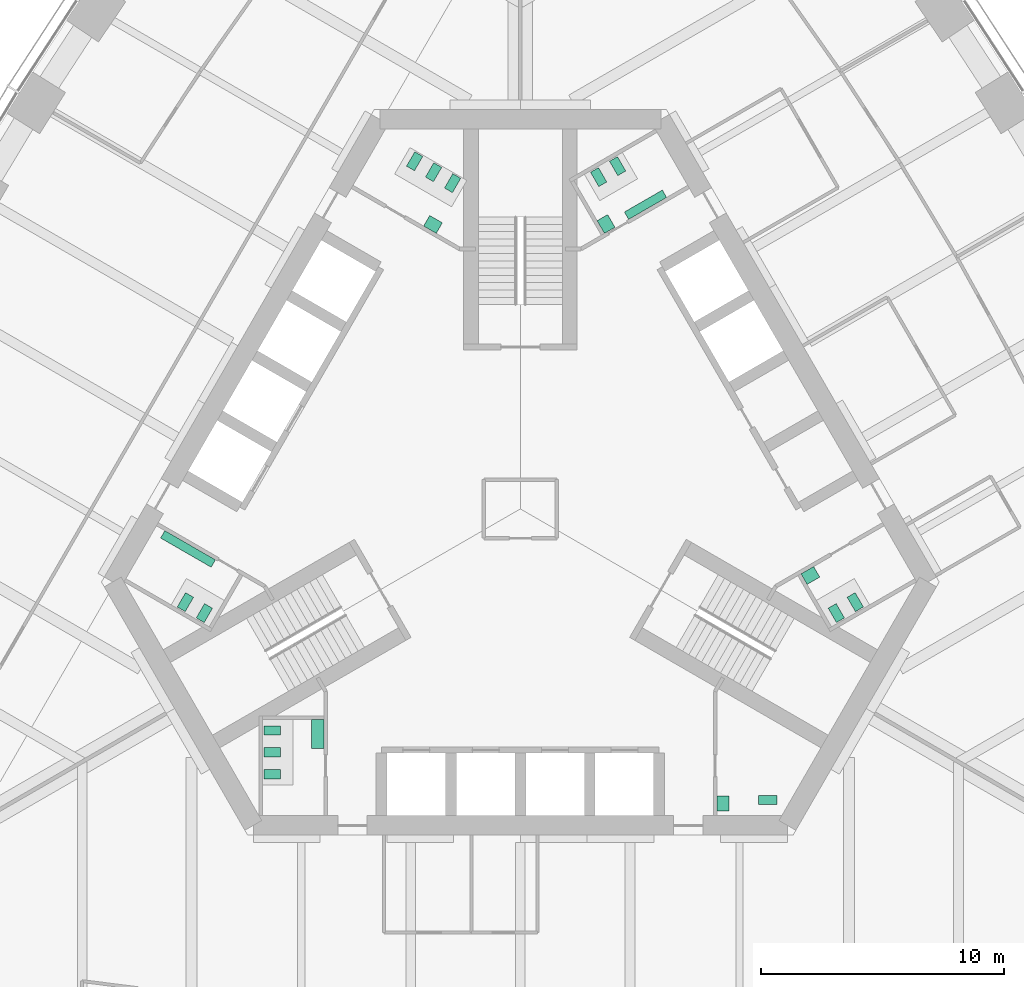
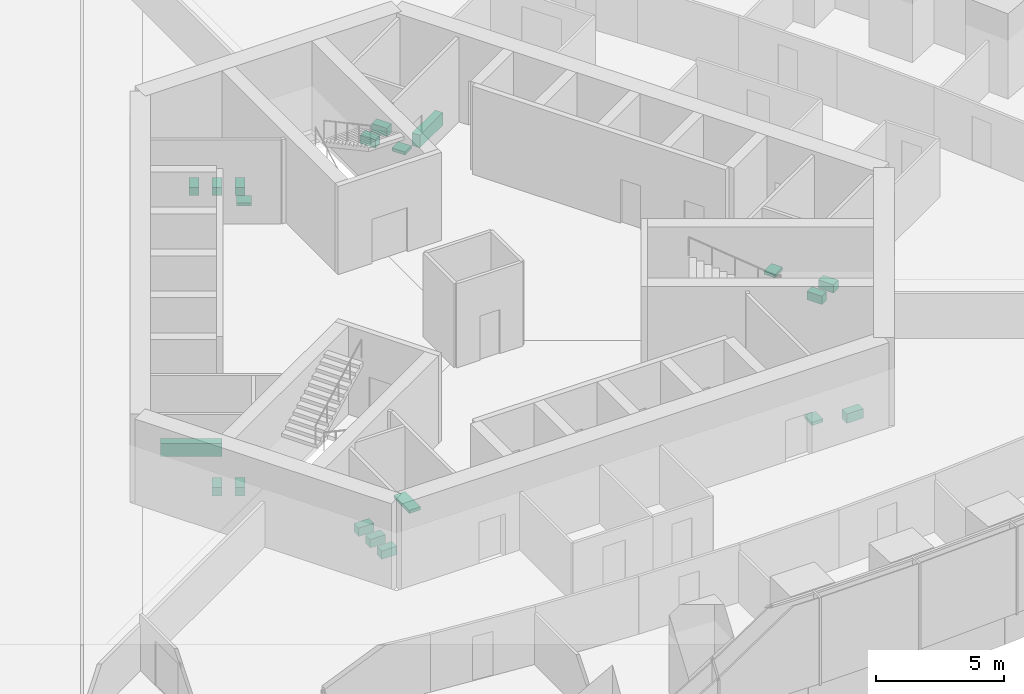
# One storey, part 17 of 18: 20 sanitary terminals.
"""IFC4 building model written with IfcOpenShell, lengths in metres."""

import ifcopenshell
import ifcopenshell.guid

model = None  # the IFC model being written
_history = None  # IfcOwnerHistory: only IFC2X3 demands one
_inside = {}  # id of a spatial element -> (the spatial element, [elements in it])
_under = {}  # id of a project, library or spatial element -> (it, [spatial elements below it])
_declared = {}  # id of a project -> (the project, [libraries it declares])
_typed = {}  # id of a type object -> (the type object, [elements of that type])
_made_of = {}  # id of a material, layer set ... -> (it, [elements and type objects made of it])


def new_model(schema):
    """Start an empty IFC model of exactly this schema.

    Asked for "IFC4X3", IfcOpenShell would pick the latest addendum, in which some entities
    have other attributes; the version numbers below select the first issue.
    IFC2X3 requires an IfcOwnerHistory on every rooted entity: one is made here for all.
    """
    global model, _history
    if schema == "IFC4X3":
        model = ifcopenshell.file(schema_version=(4, 3, 0, 0))
    else:
        model = ifcopenshell.file(schema=schema)
    _inside.clear()
    _under.clear()
    _declared.clear()
    _typed.clear()
    _made_of.clear()
    _history = None
    if model.schema == "IFC2X3":
        org = make("IfcOrganization", Name="unknown")
        user = make(
            "IfcPersonAndOrganization",
            ThePerson=make("IfcPerson", FamilyName="unknown"),
            TheOrganization=org,
        )
        app = make(
            "IfcApplication",
            ApplicationDeveloper=org,
            Version="unknown",
            ApplicationFullName="unknown",
            ApplicationIdentifier="unknown",
        )
        _history = make(
            "IfcOwnerHistory",
            OwningUser=user,
            OwningApplication=app,
            ChangeAction="ADDED",
            CreationDate=0,
        )
    return model


def make(cls, **values):
    """One entity of the class cls with the attributes given. An attribute that is None is left unset."""
    return model.create_entity(
        cls, **{name: value for name, value in values.items() if value is not None}
    )


def rooted(cls, **values):
    """An entity with a GlobalId (a new one), such as an element, a storey or a relation."""
    return make(cls, GlobalId=ifcopenshell.guid.new(), OwnerHistory=_history, **values)


def si_unit(unit_type, name, prefix=None):
    """IfcSIUnit, for example si_unit("LENGTHUNIT", "METRE", prefix="MILLI")."""
    return make("IfcSIUnit", UnitType=unit_type, Prefix=prefix, Name=name)


def assignment(units):
    """IfcUnitAssignment: the units of a project."""
    return None if units is None else make("IfcUnitAssignment", Units=units)


def point(xyz):
    """IfcCartesianPoint."""
    return None if xyz is None else make("IfcCartesianPoint", Coordinates=xyz)


def direction(xyz):
    """IfcDirection."""
    return None if xyz is None else make("IfcDirection", DirectionRatios=xyz)


def frame(location, z_axis=None, x_axis=None):
    """IfcAxis2Placement3D, a coordinate frame: its origin and axes. An axis left out is left unset."""
    return make(
        "IfcAxis2Placement3D",
        Location=point(location),
        Axis=direction(z_axis),
        RefDirection=direction(x_axis),
    )


def origin():
    """The frame at (0, 0, 0) with its axes left unset."""
    return frame((0.0, 0.0, 0.0))


def place(relative_to, where):
    """IfcLocalPlacement: puts the frame where relative to a parent placement (None: the world)."""
    return make(
        "IfcLocalPlacement", PlacementRelTo=relative_to, RelativePlacement=where
    )


def context(
    kind, dimensions, precision=None, world=None, true_north=None, identifier=None
):
    """IfcGeometricRepresentationContext, for example the 3D "Model" context."""
    return make(
        "IfcGeometricRepresentationContext",
        ContextIdentifier=identifier,
        ContextType=kind,
        CoordinateSpaceDimension=dimensions,
        Precision=precision,
        WorldCoordinateSystem=world,
        TrueNorth=true_north,
    )


def subcontext(parent, identifier, kind, view, scale=None):
    """IfcGeometricRepresentationSubContext, for example "Body" below "Model"."""
    return make(
        "IfcGeometricRepresentationSubContext",
        ContextIdentifier=identifier,
        ContextType=kind,
        ParentContext=parent,
        TargetScale=scale,
        TargetView=view,
    )


def project(units=None, contexts=None):
    """IfcProject with its units and contexts."""
    return rooted(
        "IfcProject",
        Name="project",
        RepresentationContexts=contexts,
        UnitsInContext=assignment(units),
    )


def spatial(cls, under=None, at=None, **own):
    """A site, building, storey or space (cls), placed at a placement, below another one or the project."""
    s = rooted(cls, ObjectPlacement=at, **own)
    if under is not None:
        _under.setdefault(under.id(), (under, []))[1].append(s)
    return s


def polyline(points):
    """IfcPolyline through the points."""
    return make("IfcPolyline", Points=[point(p) for p in points])


def outline(outer, holes=None, kind="AREA"):
    """IfcArbitraryClosedProfileDef: a profile drawn as a closed curve; with holes, ...WithVoids."""
    if holes is None:
        return make("IfcArbitraryClosedProfileDef", ProfileType=kind, OuterCurve=outer)
    return make(
        "IfcArbitraryProfileDefWithVoids",
        ProfileType=kind,
        OuterCurve=outer,
        InnerCurves=holes,
    )


def extrude(swept, where, along, depth):
    """IfcExtrudedAreaSolid: the profile swept, set in the frame where, extruded along a direction by depth."""
    return make(
        "IfcExtrudedAreaSolid",
        SweptArea=swept,
        Position=where,
        ExtrudedDirection=direction(along),
        Depth=depth,
    )


def shape(context_of_items, identifier, shape_type, items):
    """IfcShapeRepresentation: the items that make up one representation, for example the "Body"."""
    return make(
        "IfcShapeRepresentation",
        ContextOfItems=context_of_items,
        RepresentationIdentifier=identifier,
        RepresentationType=shape_type,
        Items=items,
    )


def material(Name=None, Category=None):
    """IfcMaterial."""
    return make("IfcMaterial", Name=Name, Category=Category)


def made_of(thing, what):
    """Note that an element or type object is made of a material, layer set ...; save() writes the relation."""
    if what is not None:
        _made_of.setdefault(what.id(), (what, []))[1].append(thing)
    return thing


def type_object(cls, material=None, **own):
    """A type object (cls), such as IfcWallType, which elements share."""
    return made_of(rooted(cls, **own), material)


def element(
    cls,
    number,
    at=None,
    inside=None,
    cuts=None,
    type_object=None,
    material=None,
    context=None,
    identifier="Body",
    shape_type=None,
    held_by="IfcProductDefinitionShape",
    body=None,
    shapes=None,
    **own,
):
    """One element of the class cls, such as IfcWall. Its Tag is "e" and its number.

    at: its placement. inside: the storey or other place that contains it. cuts: it is an
    opening in that element (IfcRelVoidsElement). A single representation is given by context,
    identifier, shape_type and body (its items); several are given by shapes. held_by: the class
    of the entity that holds the representations. save() writes the other relations.
    """
    e = rooted(cls, Tag="e%d" % number, ObjectPlacement=at, **own)
    if body is not None:
        shapes = [shape(context, identifier, shape_type, body)]
    if shapes is not None:
        e.Representation = make(held_by, Representations=shapes)
    if inside is not None:
        _inside.setdefault(inside.id(), (inside, []))[1].append(e)
    if cuts is not None:
        rooted(
            "IfcRelVoidsElement", RelatingBuildingElement=cuts, RelatedOpeningElement=e
        )
    if type_object is not None:
        _typed.setdefault(type_object.id(), (type_object, []))[1].append(e)
    return made_of(e, material)


def aggregate(whole, parts):
    """IfcRelAggregates: a whole, such as a stair, and the parts it consists of."""
    return rooted("IfcRelAggregates", RelatingObject=whole, RelatedObjects=parts)


def save(model, path):
    """Write the relations noted so far, then the file.

    IfcRelAggregates (storeys below a building ...), IfcRelContainedInSpatialStructure (elements
    in a storey), IfcRelDefinesByType, IfcRelAssociatesMaterial and IfcRelDeclares: one each for
    every whole, place, type object, material and project.
    """
    for whole, parts in _under.values():
        aggregate(whole, parts)
    for where, things in _inside.values():
        rooted(
            "IfcRelContainedInSpatialStructure",
            RelatedElements=things,
            RelatingStructure=where,
        )
    for kind, things in _typed.values():
        rooted("IfcRelDefinesByType", RelatedObjects=things, RelatingType=kind)
    for what, things in _made_of.values():
        rooted("IfcRelAssociatesMaterial", RelatedObjects=things, RelatingMaterial=what)
    for by, libraries in _declared.values():
        rooted("IfcRelDeclares", RelatingContext=by, RelatedDefinitions=libraries)
    model.write(path)


model = new_model("IFC4")

# Units and contexts
model_context = context("Model", 3, precision=1e-05, world=origin(), true_north=direction((0.0, 1.0)))
body_context = subcontext(model_context, "Body", "Model", "MODEL_VIEW")
ifc_project = project(units=[si_unit("LENGTHUNIT", "METRE"), si_unit("AREAUNIT", "SQUARE_METRE"), si_unit("VOLUMEUNIT", "CUBIC_METRE"), si_unit("PLANEANGLEUNIT", "RADIAN"), si_unit("MASSUNIT", "GRAM", prefix="KILO")], contexts=[model_context])

# Site, building, storey
site_placement = place(None, origin())
site = spatial("IfcSite", under=ifc_project, at=site_placement, CompositionType="ELEMENT")
building_placement = place(site_placement, origin())
building = spatial("IfcBuilding", under=site, at=building_placement, Name="Trefoil Bronze Tower", CompositionType="ELEMENT")
storey_placement = place(building_placement, frame((0.0, 0.0, 170.300048828125)))
storey = spatial("IfcBuildingStorey", under=building, at=storey_placement, Name="L39", CompositionType="ELEMENT", Elevation=170.300048828125)

# Sanitary terminals
ifc_material_1 = material(Name="Vitreous china", Category="ceramic")
sanitary_terminal_type_1 = type_object("IfcSanitaryTerminalType", Name="Accessible WC pan", PredefinedType="TOILETPAN", material=ifc_material_1)
sanitary_terminal_1_placement = place(storey_placement, origin())
element("IfcSanitaryTerminal", 1, at=sanitary_terminal_1_placement, inside=storey, type_object=sanitary_terminal_type_1, Name="WC pan 1 Accessible WC L39", PredefinedType="TOILETPAN", context=body_context, shape_type="SweptSolid", body=[
    extrude(outline(polyline([(9.784912109375, -11.77001953125), (10.534912109375, -11.77001953125), (10.534912109375, -12.14990234375), (9.784912109375, -12.14990234375), (9.784912109375, -11.77001953125)])), origin(), (0.0, 0.0, 1.0), 0.449951171875),
])
ifc_material_2 = material(Name="Vitreous china", Category="ceramic")
sanitary_terminal_type_2 = type_object("IfcSanitaryTerminalType", Name="Accessible basin", PredefinedType="WASHHANDBASIN", material=ifc_material_2)
sanitary_terminal_2_placement = place(storey_placement, frame((0.0, 0.0, 0.64990234375)))
element("IfcSanitaryTerminal", 2, at=sanitary_terminal_2_placement, inside=storey, type_object=sanitary_terminal_type_2, Name="Wash basin Accessible WC L39", PredefinedType="WASHHANDBASIN", context=body_context, shape_type="SweptSolid", body=[
    extrude(outline(polyline([(8.074951171875, -11.800048828125), (8.574951171875, -11.800048828125), (8.574951171875, -12.39990234375), (8.074951171875, -12.39990234375), (8.074951171875, -11.800048828125)])), origin(), (0.0, 0.0, 1.0), 0.150146484375),
])
ifc_material_3 = material(Name="Vitreous china", Category="ceramic")
sanitary_terminal_type_3 = type_object("IfcSanitaryTerminalType", Name="Urinal range 3 urinals", PredefinedType="URINAL", material=ifc_material_3)
sanitary_terminal_3_placement = place(storey_placement, frame((0.0, 0.0, 0.39990234375)))
element("IfcSanitaryTerminal", 3, at=sanitary_terminal_3_placement, inside=storey, type_object=sanitary_terminal_type_3, Name="Urinal range WC (men) L39", PredefinedType="URINAL", context=body_context, shape_type="SweptSolid", body=[
    extrude(outline(polyline([(4.449462890625, 11.89306640625), (4.274658203125, 12.1962890625), (5.83349609375, 13.09619140625), (6.00830078125, 12.793212890625), (4.449462890625, 11.89306640625)])), origin(), (0.0, 0.0, 1.0), 0.60009765625),
])
ifc_material_4 = material(Name="Vitreous china", Category="ceramic")
sanitary_terminal_type_4 = type_object("IfcSanitaryTerminalType", Name="Urinal range 4 urinals", PredefinedType="URINAL", material=ifc_material_4)
sanitary_terminal_4_placement = place(storey_placement, frame((0.0, 0.0, 0.39990234375)))
element("IfcSanitaryTerminal", 4, at=sanitary_terminal_4_placement, inside=storey, type_object=sanitary_terminal_type_4, Name="Urinal range WC (men) L39", PredefinedType="URINAL", context=body_context, shape_type="SweptSolid", body=[
    extrude(outline(polyline([(-12.524658203125, -2.09326171875), (-12.699462890625, -2.396240234375), (-14.778076171875, -1.1962890625), (-14.60302734375, -0.89306640625), (-12.524658203125, -2.09326171875)])), origin(), (0.0, 0.0, 1.0), 0.60009765625),
])
ifc_material_5 = material(Name="Solid surface vanity", Category="plastic")
sanitary_terminal_type_5 = type_object("IfcSanitaryTerminalType", Name="Vanity unit 1 basins", PredefinedType="WASHHANDBASIN", material=ifc_material_5)
sanitary_terminal_5_placement = place(storey_placement, frame((0.0, 0.0, 0.75)))
element("IfcSanitaryTerminal", 5, at=sanitary_terminal_5_placement, inside=storey, type_object=sanitary_terminal_type_5, Name="Vanity unit WC (women) L39", PredefinedType="WASHHANDBASIN", context=body_context, shape_type="SweptSolid", body=[
    extrude(outline(polyline([(11.528564453125, -2.668212890625), (11.778564453125, -3.10107421875), (12.29833984375, -2.80126953125), (12.04833984375, -2.3681640625), (11.528564453125, -2.668212890625)])), origin(), (0.0, 0.0, 1.0), 0.14990234375),
])
sanitary_terminal_6_placement = place(storey_placement, frame((0.0, 0.0, 0.75)))
element("IfcSanitaryTerminal", 6, at=sanitary_terminal_6_placement, inside=storey, type_object=sanitary_terminal_type_5, Name="Vanity unit WC (men) L39", PredefinedType="WASHHANDBASIN", context=body_context, shape_type="SweptSolid", body=[
    extrude(outline(polyline([(3.45361328125, 11.318115234375), (3.153564453125, 11.837890625), (3.586669921875, 12.087890625), (3.88671875, 11.568115234375), (3.45361328125, 11.318115234375)])), origin(), (0.0, 0.0, 1.0), 0.14990234375),
])
sanitary_terminal_7_placement = place(storey_placement, frame((0.0, 0.0, 0.75)))
element("IfcSanitaryTerminal", 7, at=sanitary_terminal_7_placement, inside=storey, type_object=sanitary_terminal_type_5, Name="Vanity unit WC (women) L39", PredefinedType="WASHHANDBASIN", context=body_context, shape_type="SweptSolid", body=[
    extrude(outline(polyline([(-3.45361328125, 11.318115234375), (-3.20361328125, 11.751220703125), (-3.72314453125, 12.05126953125), (-3.97314453125, 11.6181640625), (-3.45361328125, 11.318115234375)])), origin(), (0.0, 0.0, 1.0), 0.14990234375),
])
ifc_material_6 = material(Name="Solid surface vanity", Category="plastic")
sanitary_terminal_type_6 = type_object("IfcSanitaryTerminalType", Name="Vanity unit 2 basins", PredefinedType="WASHHANDBASIN", material=ifc_material_6)
sanitary_terminal_8_placement = place(storey_placement, frame((0.0, 0.0, 0.75)))
element("IfcSanitaryTerminal", 8, at=sanitary_terminal_8_placement, inside=storey, type_object=sanitary_terminal_type_6, Name="Vanity unit WC (women) L39", PredefinedType="WASHHANDBASIN", context=body_context, shape_type="SweptSolid", body=[
    extrude(outline(polyline([(-8.074951171875, -8.64990234375), (-8.574951171875, -8.64990234375), (-8.574951171875, -9.85009765625), (-8.074951171875, -9.85009765625), (-8.074951171875, -8.64990234375)])), origin(), (0.0, 0.0, 1.0), 0.14990234375),
])
ifc_material_7 = material(Name="Vitreous china", Category="ceramic")
sanitary_terminal_type_7 = type_object("IfcSanitaryTerminalType", Name="WC pan", PredefinedType="TOILETPAN", material=ifc_material_7)
sanitary_terminal_9_placement = place(storey_placement, origin())
element("IfcSanitaryTerminal", 9, at=sanitary_terminal_9_placement, inside=storey, type_object=sanitary_terminal_type_7, Name="WC pan 1 WC (women) L39", PredefinedType="TOILETPAN", context=body_context, shape_type="SweptSolid", body=[
    extrude(outline(polyline([(12.643798828125, -4.07958984375), (12.98388671875, -4.66845703125), (13.31298828125, -4.478515625), (12.972900390625, -3.8896484375), (12.643798828125, -4.07958984375)])), origin(), (0.0, 0.0, 1.0), 0.39990234375),
])
sanitary_terminal_10_placement = place(storey_placement, origin())
element("IfcSanitaryTerminal", 10, at=sanitary_terminal_10_placement, inside=storey, type_object=sanitary_terminal_type_7, Name="WC pan 2 WC (women) L39", PredefinedType="TOILETPAN", context=body_context, shape_type="SweptSolid", body=[
    extrude(outline(polyline([(13.423095703125, -3.629638671875), (13.76318359375, -4.218505859375), (14.09228515625, -4.028564453125), (13.752197265625, -3.439697265625), (13.423095703125, -3.629638671875)])), origin(), (0.0, 0.0, 1.0), 0.39990234375),
])
sanitary_terminal_11_placement = place(storey_placement, origin())
element("IfcSanitaryTerminal", 11, at=sanitary_terminal_11_placement, inside=storey, type_object=sanitary_terminal_type_7, Name="WC pan 1 WC (men) L39", PredefinedType="TOILETPAN", context=body_context, shape_type="SweptSolid", body=[
    extrude(outline(polyline([(3.2216796875, 13.23974609375), (2.8818359375, 13.82861328125), (3.2109375, 14.0185546875), (3.55078125, 13.4296875), (3.2216796875, 13.23974609375)])), origin(), (0.0, 0.0, 1.0), 0.39990234375),
])
sanitary_terminal_12_placement = place(storey_placement, origin())
element("IfcSanitaryTerminal", 12, at=sanitary_terminal_12_placement, inside=storey, type_object=sanitary_terminal_type_7, Name="WC pan 2 WC (men) L39", PredefinedType="TOILETPAN", context=body_context, shape_type="SweptSolid", body=[
    extrude(outline(polyline([(4.001220703125, 13.689697265625), (3.6611328125, 14.278564453125), (3.990234375, 14.468505859375), (4.330322265625, 13.879638671875), (4.001220703125, 13.689697265625)])), origin(), (0.0, 0.0, 1.0), 0.39990234375),
])
sanitary_terminal_13_placement = place(storey_placement, origin())
element("IfcSanitaryTerminal", 13, at=sanitary_terminal_13_placement, inside=storey, type_object=sanitary_terminal_type_7, Name="WC pan 1 WC (women) L39", PredefinedType="TOILETPAN", context=body_context, shape_type="SweptSolid", body=[
    extrude(outline(polyline([(-2.788818359375, 12.98974609375), (-2.44873046875, 13.57861328125), (-2.77783203125, 13.7685546875), (-3.117919921875, 13.1796875), (-2.788818359375, 12.98974609375)])), origin(), (0.0, 0.0, 1.0), 0.39990234375),
])
sanitary_terminal_14_placement = place(storey_placement, origin())
element("IfcSanitaryTerminal", 14, at=sanitary_terminal_14_placement, inside=storey, type_object=sanitary_terminal_type_7, Name="WC pan 2 WC (women) L39", PredefinedType="TOILETPAN", context=body_context, shape_type="SweptSolid", body=[
    extrude(outline(polyline([(-3.568115234375, 13.439697265625), (-3.228271484375, 14.028564453125), (-3.557373046875, 14.218505859375), (-3.897216796875, 13.629638671875), (-3.568115234375, 13.439697265625)])), origin(), (0.0, 0.0, 1.0), 0.39990234375),
])
sanitary_terminal_15_placement = place(storey_placement, origin())
element("IfcSanitaryTerminal", 15, at=sanitary_terminal_15_placement, inside=storey, type_object=sanitary_terminal_type_7, Name="WC pan 3 WC (women) L39", PredefinedType="TOILETPAN", context=body_context, shape_type="SweptSolid", body=[
    extrude(outline(polyline([(-4.34765625, 13.8896484375), (-4.007568359375, 14.478515625), (-4.336669921875, 14.66845703125), (-4.6767578125, 14.07958984375), (-4.34765625, 13.8896484375)])), origin(), (0.0, 0.0, 1.0), 0.39990234375),
])
sanitary_terminal_16_placement = place(storey_placement, origin())
element("IfcSanitaryTerminal", 16, at=sanitary_terminal_16_placement, inside=storey, type_object=sanitary_terminal_type_7, Name="WC pan 1 WC (men) L39", PredefinedType="TOILETPAN", context=body_context, shape_type="SweptSolid", body=[
    extrude(outline(polyline([(-12.643798828125, -4.07958984375), (-12.98388671875, -4.66845703125), (-13.31298828125, -4.478515625), (-12.972900390625, -3.8896484375), (-12.643798828125, -4.07958984375)])), origin(), (0.0, 0.0, 1.0), 0.39990234375),
])
sanitary_terminal_17_placement = place(storey_placement, origin())
element("IfcSanitaryTerminal", 17, at=sanitary_terminal_17_placement, inside=storey, type_object=sanitary_terminal_type_7, Name="WC pan 2 WC (men) L39", PredefinedType="TOILETPAN", context=body_context, shape_type="SweptSolid", body=[
    extrude(outline(polyline([(-13.423095703125, -3.629638671875), (-13.76318359375, -4.218505859375), (-14.09228515625, -4.028564453125), (-13.752197265625, -3.439697265625), (-13.423095703125, -3.629638671875)])), origin(), (0.0, 0.0, 1.0), 0.39990234375),
])
sanitary_terminal_18_placement = place(storey_placement, origin())
element("IfcSanitaryTerminal", 18, at=sanitary_terminal_18_placement, inside=storey, type_object=sanitary_terminal_type_7, Name="WC pan 1 WC (women) L39", PredefinedType="TOILETPAN", context=body_context, shape_type="SweptSolid", body=[
    extrude(outline(polyline([(-9.85498046875, -8.909912109375), (-10.534912109375, -8.909912109375), (-10.534912109375, -9.2900390625), (-9.85498046875, -9.2900390625), (-9.85498046875, -8.909912109375)])), origin(), (0.0, 0.0, 1.0), 0.39990234375),
])
sanitary_terminal_19_placement = place(storey_placement, origin())
element("IfcSanitaryTerminal", 19, at=sanitary_terminal_19_placement, inside=storey, type_object=sanitary_terminal_type_7, Name="WC pan 2 WC (women) L39", PredefinedType="TOILETPAN", context=body_context, shape_type="SweptSolid", body=[
    extrude(outline(polyline([(-9.85498046875, -9.81005859375), (-10.534912109375, -9.81005859375), (-10.534912109375, -10.18994140625), (-9.85498046875, -10.18994140625), (-9.85498046875, -9.81005859375)])), origin(), (0.0, 0.0, 1.0), 0.39990234375),
])
sanitary_terminal_20_placement = place(storey_placement, origin())
element("IfcSanitaryTerminal", 20, at=sanitary_terminal_20_placement, inside=storey, type_object=sanitary_terminal_type_7, Name="WC pan 3 WC (women) L39", PredefinedType="TOILETPAN", context=body_context, shape_type="SweptSolid", body=[
    extrude(outline(polyline([(-9.85498046875, -10.7099609375), (-10.534912109375, -10.7099609375), (-10.534912109375, -11.090087890625), (-9.85498046875, -11.090087890625), (-9.85498046875, -10.7099609375)])), origin(), (0.0, 0.0, 1.0), 0.39990234375),
])

save(model, "model.ifc")
